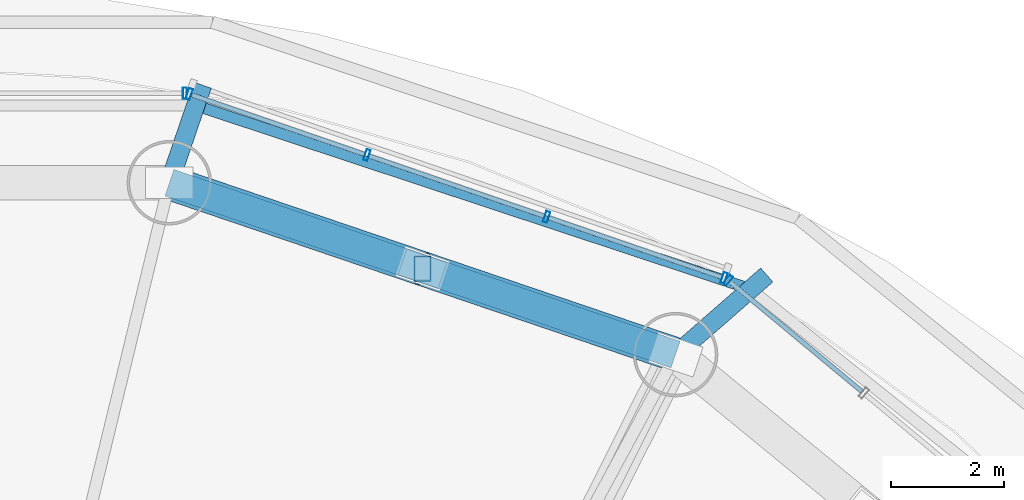
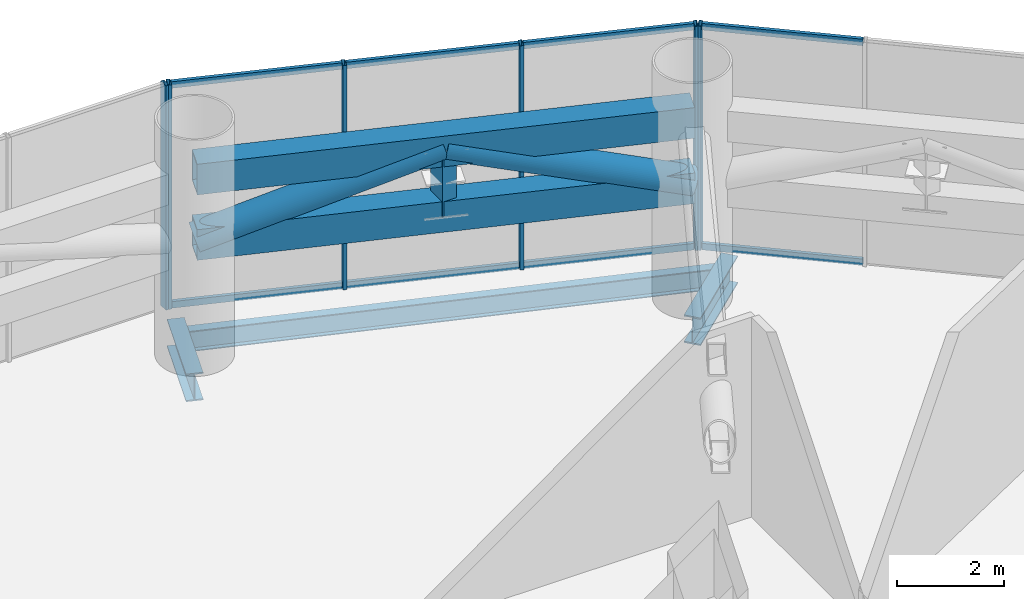
# One storey, part 24 of 33: 19 members, 3 beams, 3 elements without a shape of their own.
"""IFC4 building model written with IfcOpenShell, lengths in metres."""

from ifc_helpers import new_model, si_unit, direction, frame, origin, origin_2d, place, context, subcontext, project, spatial, hollow_rectangle, hollow_circle, i_section, extrude, source, transform, mapped, material, material_profile, profile_set, type_object, element, aggregate, save


model = new_model("IFC4")

# Units and contexts
model_context = context("Model", 3, precision=1e-05, world=origin(), true_north=direction((-0.2419218956, 0.970295726276)))
body_context = subcontext(model_context, "Body", "Model", "MODEL_VIEW")
ifc_project = project(units=[si_unit("LENGTHUNIT", "METRE"), si_unit("AREAUNIT", "SQUARE_METRE"), si_unit("VOLUMEUNIT", "CUBIC_METRE"), si_unit("PLANEANGLEUNIT", "RADIAN"), si_unit("MASSUNIT", "GRAM", prefix="KILO")], contexts=[model_context])

# Site, building, storey
site_placement = place(None, origin())
site = spatial("IfcSite", under=ifc_project, at=site_placement, CompositionType="ELEMENT")
building_placement = place(site_placement, origin())
building = spatial("IfcBuilding", under=site, at=building_placement, Name="Cobrevalo Terracotta Tower", CompositionType="ELEMENT")
storey_placement = place(building_placement, frame((0.0, 0.0, 74.39990234375)))
storey = spatial("IfcBuildingStorey", under=building, at=storey_placement, Name="L19", CompositionType="ELEMENT", Elevation=74.39990234375)

# Beams
ifc_material_1 = material(Name="Steel S355", Category="steel")
ifc_material_profile_1 = material_profile(ifc_material_1, i_section(OverallWidth=0.3291015625, OverallDepth=0.635009765625, WebThickness=0.017822265625, FlangeThickness=0.031005859375, at=origin_2d()), Name="W 610x241")
ifc_profile_set_1 = profile_set([ifc_material_profile_1], Name="Steel S355")
beam_type_1 = type_object("IfcBeamType", Name="Structural Beam W 610x241 (Steel S355)", PredefinedType="BEAM", material=ifc_profile_set_1)
beam_1_placement = place(storey_placement, frame((53.481201171875, 45.217529296875, -0.767333984375), z_axis=(-0.753293726106, -0.657684242026, 0.0), x_axis=(0.657684242026, -0.753293726106, 0.0)))
element("IfcBeam", 1, at=beam_1_placement, inside=storey, type_object=beam_type_1, Name="L19 setback step-link girder 03", PredefinedType="BEAM", context=body_context, shape_type="SweptSolid", body=[
    extrude(i_section(OverallWidth=0.3291015625, OverallDepth=0.635009765625, WebThickness=0.017822265625, FlangeThickness=0.031005859375, at=origin_2d()), origin(), (0.0, 0.0, 1.0), 2.150146484375),
])
beam_2_placement = place(storey_placement, frame((43.458251953125, 48.58984375, -0.767333984375), z_axis=(-0.322741812578, -0.946487042919, 0.0), x_axis=(0.946487042919, -0.322741812578, 0.0)))
element("IfcBeam", 2, at=beam_2_placement, inside=storey, type_object=beam_type_1, Name="L19 setback step-link girder 04", PredefinedType="BEAM", context=body_context, shape_type="SweptSolid", body=[
    extrude(i_section(OverallWidth=0.3291015625, OverallDepth=0.635009765625, WebThickness=0.017822265625, FlangeThickness=0.031005859375, at=origin_2d()), origin(), (0.0, 0.0, 1.0), 1.83056640625),
])
ifc_material_profile_2 = material_profile(ifc_material_1, i_section(OverallWidth=0.194091796875, OverallDepth=0.468994140625, WebThickness=0.011474609375, FlangeThickness=0.0205078125, at=origin_2d()), Name="W 460x106")
ifc_profile_set_2 = profile_set([ifc_material_profile_2], Name="Steel S355")
beam_type_2 = type_object("IfcBeamType", Name="Structural Spandrel W 460x106 (Steel S355)", PredefinedType="SPANDREL", material=ifc_profile_set_2)
beam_3_placement = place(storey_placement, frame((53.19482421875, 44.967529296875, -0.684326171875), z_axis=(-0.949365190876, 0.314174687638, 0.0), x_axis=(-0.314174687638, -0.949365190876, 0.0)))
element("IfcBeam", 3, at=beam_3_placement, inside=storey, type_object=beam_type_2, Name="L19 perimeter ring spandrel 03", PredefinedType="SPANDREL", context=body_context, shape_type="SweptSolid", body=[
    extrude(i_section(OverallWidth=0.194091796875, OverallDepth=0.468994140625, WebThickness=0.011474609375, FlangeThickness=0.0205078125, at=origin_2d()), origin(), (0.0, 0.0, 1.0), 10.385009765625),
])

# Members
ifc_material_profile_3 = material_profile(ifc_material_1, hollow_rectangle(XDim=0.300048828125, YDim=0.449951171875, WallThickness=0.02001953125, at=origin_2d()), Name="RHS 450x300x20")
ifc_profile_set_3 = profile_set([ifc_material_profile_3], Name="Steel S355")
member_type_1 = type_object("IfcMemberType", Name="Steel Post RHS 450x300x20 (Steel S355)", PredefinedType="POST", material=ifc_profile_set_3)
shared_shape_1 = source(origin(), body_context, "Body", "SweptSolid", [
    extrude(hollow_rectangle(XDim=0.300048828125, YDim=0.449951171875, WallThickness=0.02001953125, at=origin_2d()), origin(), (0.0, 0.0, 1.0), 1.494873046875),
])
member_1_placement = place(storey_placement, frame((47.364501953125, 45.330322265625, 2.650146484375), z_axis=(0.0, 0.0, 1.0), x_axis=(1.0, 0.0, 0.0)))
element("IfcMember", 4, at=member_1_placement, inside=storey, type_object=member_type_1, Name="L19 belt truss post 03", PredefinedType="POST", context=body_context, shape_type="MappedRepresentation", body=[
    mapped(shared_shape_1, transform((0.0, 0.0, 0.0), scale=1.0)),
])
ifc_material_profile_4 = material_profile(ifc_material_1, hollow_rectangle(XDim=0.5, YDim=0.699951171875, WallThickness=0.031982421875, at=origin_2d()), Name="RHS 700x500x32")
ifc_profile_set_4 = profile_set([ifc_material_profile_4], Name="Steel S355")
member_type_2 = type_object("IfcMemberType", Name="Steel Chord RHS 700x500x32 (Steel S355)", PredefinedType="CHORD", material=ifc_profile_set_4)
shared_shape_2 = source(origin(), body_context, "Body", "SweptSolid", [
    extrude(hollow_rectangle(XDim=0.5, YDim=0.699951171875, WallThickness=0.031982421875, at=origin_2d()), origin(), (0.0, 0.0, 1.0), 9.498291015625),
])
for number, where, z_axis, x_axis, name in (
    (5, (51.861572265625, 43.803466796875, 2.650146484375), (-0.946910528816, 0.32149720126, 0.0), (-0.32149720126, -0.946910528816, 0.0), "L19 belt truss chord 03-BC"),
    (6, (51.861572265625, 43.803466796875, 4.14501953125), (-0.946910528816, 0.32149720126, 0.0), (-0.32149720126, -0.946910528816, 0.0), "L19 belt truss chord 03-TC"),
):
    element("IfcMember", number, at=place(storey_placement, frame(where, z_axis=z_axis, x_axis=x_axis)), inside=storey, type_object=member_type_2, Name=name, PredefinedType="CHORD", context=body_context, shape_type="MappedRepresentation", body=[
        mapped(shared_shape_2, transform((0.0, 0.0, 0.0), scale=1.0)),
    ])
ifc_material_profile_5 = material_profile(ifc_material_1, hollow_circle(Radius=0.304931640625, WallThickness=0.02490234375, at=origin_2d()), Name="CHS 610x25")
ifc_profile_set_5 = profile_set([ifc_material_profile_5], Name="Steel S355")
member_type_3 = type_object("IfcMemberType", Name="Steel Brace CHS 610x25 (Steel S355)", PredefinedType="BRACE", material=ifc_profile_set_5)
shared_shape_3 = source(origin(), body_context, "Body", "SweptSolid", [
    extrude(hollow_circle(Radius=0.304931640625, WallThickness=0.02490234375, at=origin_2d()), origin(), (0.0, 0.0, 1.0), 4.97900390625),
])
for number, where, z_axis, x_axis, name in (
    (7, (51.861572265625, 43.803466796875, 2.650146484375), (-0.903223320473, 0.30666442162, 0.300240846431), (-0.32149720126, -0.946910528816, 0.0), "L19 belt truss diagonal brace 03-D1"),
    (8, (42.867431640625, 46.857177734375, 2.650146484375), (0.903223320473, -0.30666442162, 0.300240846431), (0.32149720126, 0.946910528816, 0.0), "L19 belt truss diagonal brace 03-D2"),
):
    element("IfcMember", number, at=place(storey_placement, frame(where, z_axis=z_axis, x_axis=x_axis)), inside=storey, type_object=member_type_3, Name=name, PredefinedType="BRACE", context=body_context, shape_type="MappedRepresentation", body=[
        mapped(shared_shape_3, transform((0.0, 0.0, 0.0), scale=1.0)),
    ])

# Curtain wall, member
ifc_material_2 = material(Name="Anodized aluminium", Category="aluminium")
curtain_wall_type = type_object("IfcCurtainWallType", Name="Belt-truss plant acoustic weather-louvre curtain wall CW-LV", PredefinedType="NOTDEFINED", material=ifc_material_2)
curtain_wall_1_placement = place(storey_placement, origin())
curtain_wall_1 = element("IfcCurtainWall", 9, at=curtain_wall_1_placement, inside=storey, type_object=curtain_wall_type, Name="L19 curtain wall CW-LV-L19-S02", PredefinedType="NOTDEFINED")
ifc_material_profile_6 = material_profile(ifc_material_2, hollow_rectangle(XDim=0.074951171875, YDim=0.199951171875, WallThickness=0.0048828125, at=origin_2d()), Name="CWM 75x200")
ifc_profile_set_6 = profile_set([ifc_material_profile_6], Name="Anodized aluminium")
member_type_4 = type_object("IfcMemberType", Name="Lower/mid tower unitised mullion 75x200", PredefinedType="MULLION", material=ifc_profile_set_6)
shared_shape_4 = source(origin(), body_context, "Body", "SweptSolid", [
    extrude(hollow_rectangle(XDim=0.074951171875, YDim=0.199951171875, WallThickness=0.0048828125, at=origin_2d()), origin(), (0.0, 0.0, 1.0), 5.125),
])
member_2_placement = place(storey_placement, frame((52.792236328125, 45.125, 0.0), z_axis=(0.0, 0.0, 1.0), x_axis=(-0.769243451658, 0.638955798222, 0.0)))
member_2 = element("IfcMember", 10, at=member_2_placement, type_object=member_type_4, Name="CW-LV-L19-S02 vertical mullion 04", PredefinedType="MULLION", context=body_context, shape_type="MappedRepresentation", body=[
    mapped(shared_shape_4, transform((0.0, 0.0, 0.0), scale=1.0)),
])

# Curtain wall, members
curtain_wall_2_placement = place(storey_placement, origin())
curtain_wall_2 = element("IfcCurtainWall", 11, at=curtain_wall_2_placement, inside=storey, type_object=curtain_wall_type, Name="L19 curtain wall CW-LV-L19-S03", PredefinedType="NOTDEFINED")
member_3_placement = place(storey_placement, frame((52.7236328125, 45.16357421875, 0.0), z_axis=(0.0, 0.0, 1.0), x_axis=(-0.94559809868, 0.325337110968, 0.0)))
member_3 = element("IfcMember", 12, at=member_3_placement, type_object=member_type_4, Name="CW-LV-L19-S03 vertical mullion 01", PredefinedType="MULLION", context=body_context, shape_type="MappedRepresentation", body=[
    mapped(shared_shape_4, transform((0.0, 0.0, 0.0), scale=1.0)),
])
member_4_placement = place(storey_placement, frame((49.56884765625, 46.2490234375, 0.0), z_axis=(0.0, 0.0, 1.0), x_axis=(-0.94559809868, 0.325337110968, 0.0)))
member_4 = element("IfcMember", 13, at=member_4_placement, type_object=member_type_4, Name="CW-LV-L19-S03 vertical mullion 02", PredefinedType="MULLION", context=body_context, shape_type="MappedRepresentation", body=[
    mapped(shared_shape_4, transform((0.0, 0.0, 0.0), scale=1.0)),
])
member_5_placement = place(storey_placement, frame((46.376220703125, 47.347412109375, 0.0), z_axis=(0.0, 0.0, 1.0), x_axis=(-0.94559809868, 0.325337110968, 0.0)))
member_5 = element("IfcMember", 14, at=member_5_placement, type_object=member_type_4, Name="CW-LV-L19-S03 vertical mullion 03", PredefinedType="MULLION", context=body_context, shape_type="MappedRepresentation", body=[
    mapped(shared_shape_4, transform((0.0, 0.0, 0.0), scale=1.0)),
])
member_6_placement = place(storey_placement, frame((43.221435546875, 48.432861328125, 0.0), z_axis=(0.0, 0.0, 1.0), x_axis=(-0.94559809868, 0.325337110968, 0.0)))
member_6 = element("IfcMember", 15, at=member_6_placement, type_object=member_type_4, Name="CW-LV-L19-S03 vertical mullion 04", PredefinedType="MULLION", context=body_context, shape_type="MappedRepresentation", body=[
    mapped(shared_shape_4, transform((0.0, 0.0, 0.0), scale=1.0)),
])

# Curtain wall, member
curtain_wall_3_placement = place(storey_placement, origin())
curtain_wall_3 = element("IfcCurtainWall", 16, at=curtain_wall_3_placement, inside=storey, type_object=curtain_wall_type, Name="L19 curtain wall CW-LV-L19-S04", PredefinedType="NOTDEFINED")
member_7_placement = place(storey_placement, frame((43.1435546875, 48.446044921875, 0.0), z_axis=(0.0, 0.0, 1.0), x_axis=(-1.0, 0.0, 0.0)))
member_7 = element("IfcMember", 17, at=member_7_placement, type_object=member_type_4, Name="CW-LV-L19-S04 vertical mullion 01", PredefinedType="MULLION", context=body_context, shape_type="MappedRepresentation", body=[
    mapped(shared_shape_4, transform((0.0, 0.0, 0.0), scale=1.0)),
])
aggregate(curtain_wall_3, [member_7])

# Member
ifc_material_profile_7 = material_profile(ifc_material_2, hollow_rectangle(XDim=0.074951171875, YDim=0.14990234375, WallThickness=0.00439453125, at=origin_2d()), Name="CWT 75x150")
ifc_profile_set_7 = profile_set([ifc_material_profile_7], Name="Anodized aluminium")
member_type_5 = type_object("IfcMemberType", Name="Tower unitised aluminium transom 75x150", PredefinedType="USERDEFINED", material=ifc_profile_set_7)
shared_shape_5 = source(origin(), body_context, "Body", "SweptSolid", [
    extrude(hollow_rectangle(XDim=0.074951171875, YDim=0.14990234375, WallThickness=0.00439453125, at=origin_2d()), origin(), (0.0, 0.0, 1.0), 3.056640625),
])
member_8_placement = place(storey_placement, frame((55.17431640625, 43.146484375, 0.050048828125), z_axis=(-0.769274323891, 0.638918629094, 0.0), x_axis=(-0.638918629094, -0.769274323891, 0.0)))
member_8 = element("IfcMember", 18, at=member_8_placement, type_object=member_type_5, Name="CW-LV-L19-S02 transom B03-T1", ObjectType="TRANSOM", PredefinedType="USERDEFINED", context=body_context, shape_type="MappedRepresentation", body=[
    mapped(shared_shape_5, transform((0.0, 0.0, 0.0), scale=1.0)),
])

member_9_placement = place(storey_placement, frame((55.17431640625, 43.146484375, 5.0751953125), z_axis=(-0.769274323891, 0.638918629094, 0.0), x_axis=(-0.638918629094, -0.769274323891, 0.0)))
member_9 = element("IfcMember", 19, at=member_9_placement, type_object=member_type_5, Name="CW-LV-L19-S02 transom B03-T2", ObjectType="TRANSOM", PredefinedType="USERDEFINED", context=body_context, shape_type="MappedRepresentation", body=[
    mapped(shared_shape_5, transform((0.0, 0.0, 0.0), scale=1.0)),
])

aggregate(curtain_wall_1, [member_2, member_8, member_9])

shared_shape_6 = source(origin(), body_context, "Body", "SweptSolid", [
    extrude(hollow_rectangle(XDim=0.074951171875, YDim=0.14990234375, WallThickness=0.00439453125, at=origin_2d()), origin(), (0.0, 0.0, 1.0), 3.25634765625),
])
member_10_placement = place(storey_placement, frame((52.685791015625, 45.176513671875, 0.050048828125), z_axis=(-0.945579946985, 0.325389864408, 0.0), x_axis=(-0.325389864408, -0.945579946985, 0.0)))
member_10 = element("IfcMember", 20, at=member_10_placement, type_object=member_type_5, Name="CW-LV-L19-S03 transom B01-T1", ObjectType="TRANSOM", PredefinedType="USERDEFINED", context=body_context, shape_type="MappedRepresentation", body=[
    mapped(shared_shape_6, transform((0.0, 0.0, 0.0), scale=1.0)),
])

member_11_placement = place(storey_placement, frame((52.685791015625, 45.176513671875, 5.0751953125), z_axis=(-0.945579946985, 0.325389864408, 0.0), x_axis=(-0.325389864408, -0.945579946985, 0.0)))
member_11 = element("IfcMember", 21, at=member_11_placement, type_object=member_type_5, Name="CW-LV-L19-S03 transom B01-T2", ObjectType="TRANSOM", PredefinedType="USERDEFINED", context=body_context, shape_type="MappedRepresentation", body=[
    mapped(shared_shape_6, transform((0.0, 0.0, 0.0), scale=1.0)),
])

member_12_placement = place(storey_placement, frame((46.33837890625, 47.360595703125, 0.050048828125), z_axis=(-0.945603013523, 0.325322825537, 0.0), x_axis=(-0.325322825537, -0.945603013523, 0.0)))
member_12 = element("IfcMember", 22, at=member_12_placement, type_object=member_type_5, Name="CW-LV-L19-S03 transom B03-T1", ObjectType="TRANSOM", PredefinedType="USERDEFINED", context=body_context, shape_type="MappedRepresentation", body=[
    mapped(shared_shape_6, transform((0.0, 0.0, 0.0), scale=1.0)),
])

member_13_placement = place(storey_placement, frame((46.33837890625, 47.360595703125, 5.0751953125), z_axis=(-0.945603013523, 0.325322825537, 0.0), x_axis=(-0.325322825537, -0.945603013523, 0.0)))
member_13 = element("IfcMember", 23, at=member_13_placement, type_object=member_type_5, Name="CW-LV-L19-S03 transom B03-T2", ObjectType="TRANSOM", PredefinedType="USERDEFINED", context=body_context, shape_type="MappedRepresentation", body=[
    mapped(shared_shape_6, transform((0.0, 0.0, 0.0), scale=1.0)),
])

shared_shape_7 = source(origin(), body_context, "Body", "SweptSolid", [
    extrude(hollow_rectangle(XDim=0.074951171875, YDim=0.14990234375, WallThickness=0.00439453125, at=origin_2d()), origin(), (0.0, 0.0, 1.0), 3.29638671875),
])
member_14_placement = place(storey_placement, frame((49.531005859375, 46.261962890625, 0.050048828125), z_axis=(-0.945587651291, 0.325367474906, 0.0), x_axis=(-0.325367474906, -0.945587651291, 0.0)))
member_14 = element("IfcMember", 24, at=member_14_placement, type_object=member_type_5, Name="CW-LV-L19-S03 transom B02-T1", ObjectType="TRANSOM", PredefinedType="USERDEFINED", context=body_context, shape_type="MappedRepresentation", body=[
    mapped(shared_shape_7, transform((0.0, 0.0, 0.0), scale=1.0)),
])

member_15_placement = place(storey_placement, frame((49.531005859375, 46.261962890625, 5.0751953125), z_axis=(-0.945587651291, 0.325367474906, 0.0), x_axis=(-0.325367474906, -0.945587651291, 0.0)))
member_15 = element("IfcMember", 25, at=member_15_placement, type_object=member_type_5, Name="CW-LV-L19-S03 transom B02-T2", ObjectType="TRANSOM", PredefinedType="USERDEFINED", context=body_context, shape_type="MappedRepresentation", body=[
    mapped(shared_shape_7, transform((0.0, 0.0, 0.0), scale=1.0)),
])

aggregate(curtain_wall_2, [member_3, member_4, member_5, member_6, member_10, member_11, member_14, member_15, member_12, member_13])

save(model, "model.ifc")
